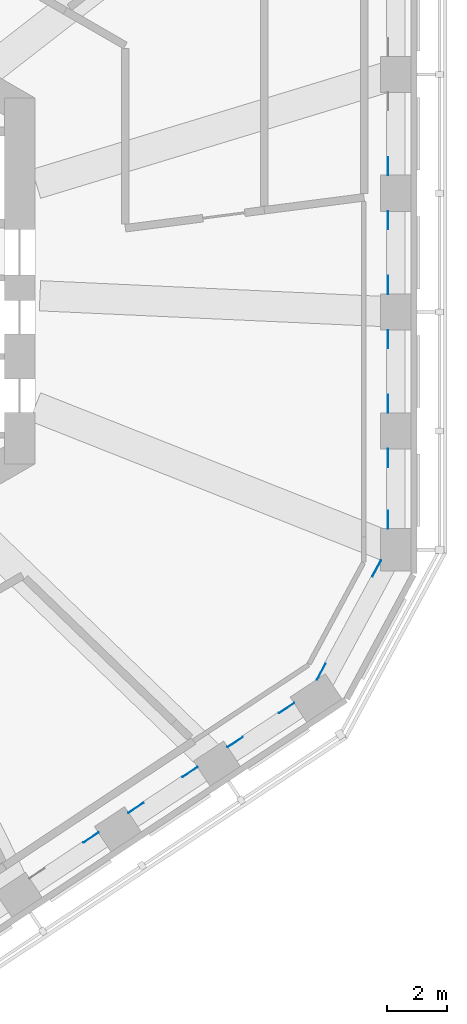
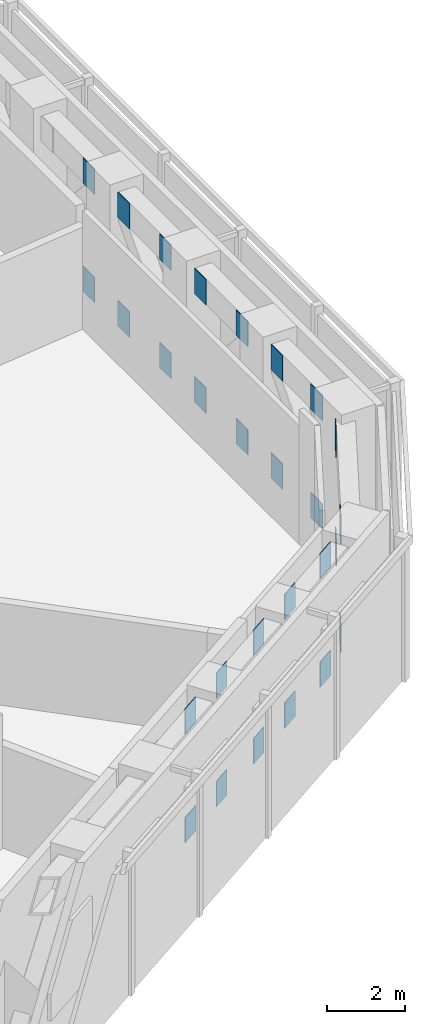
# One storey, part 11 of 15: 28 discrete accessories.
"""IFC4 building model written with IfcOpenShell, lengths in metres."""

from ifc_helpers import new_model, si_unit, direction, frame, origin, origin_2d, place, context, subcontext, project, spatial, rectangle, extrude, material, layer, layer_set, type_object, element, save


model = new_model("IFC4")

# Units and contexts
model_context = context("Model", 3, precision=1e-05, world=origin(), true_north=direction((0.0, 1.0)))
body_context = subcontext(model_context, "Body", "Model", "MODEL_VIEW")
ifc_project = project(units=[si_unit("LENGTHUNIT", "METRE"), si_unit("AREAUNIT", "SQUARE_METRE"), si_unit("VOLUMEUNIT", "CUBIC_METRE"), si_unit("PLANEANGLEUNIT", "RADIAN"), si_unit("MASSUNIT", "GRAM", prefix="KILO")], contexts=[model_context])

# Site, building, storey
site_placement = place(None, origin())
site = spatial("IfcSite", under=ifc_project, at=site_placement, CompositionType="ELEMENT")
building_placement = place(site_placement, origin())
building = spatial("IfcBuilding", under=site, at=building_placement, Name="Vanh Sen Convention Tower", CompositionType="ELEMENT")
storey_placement = place(building_placement, frame((0.0, 0.0, 119.89990234375)))
storey = spatial("IfcBuildingStorey", under=building, at=storey_placement, Name="L29", CompositionType="ELEMENT", Elevation=119.89990234375)

# Discrete accessories
ifc_material = material(Name="Steel S355", Category="steel")
ifc_layer = layer(ifc_material, 0.02001953125)
ifc_layer_set = layer_set([ifc_layer], Name="Steel S355")
discrete_accessory_type = type_object("IfcDiscreteAccessoryType", Name="Belt truss gusset plate 600 x 800 x 20", PredefinedType="USERDEFINED", material=ifc_layer_set)
for number, where, z_axis, x_axis, name in (
    (1, (22.18994140625, -7.904296875, 0.0), (0.0, 0.0, 1.0), (0.0, 1.0, 0.0), "GUSSET PLATE belt truss chord bottom 01 L29 start"),
    (2, (22.18994140625, -5.859619140625, 0.0), (0.0, 0.0, 1.0), (0.0, -1.0, 0.0), "GUSSET PLATE belt truss chord bottom 01 L29 end"),
    (3, (22.18994140625, -7.904296875, 3.39990234375), (0.0, 0.0, 1.0), (0.0, 1.0, 0.0), "GUSSET PLATE belt truss chord top 01 L29 start"),
    (4, (22.18994140625, -5.859619140625, 3.39990234375), (0.0, 0.0, 1.0), (0.0, -1.0, 0.0), "GUSSET PLATE belt truss chord top 01 L29 end"),
    (5, (22.18994140625, -4.069580078125, 0.0), (0.0, 0.0, 1.0), (0.0, 1.0, 0.0), "GUSSET PLATE belt truss chord bottom 02 L29 start"),
    (6, (22.18994140625, -1.925048828125, 0.0), (0.0, 0.0, 1.0), (0.0, -1.0, 0.0), "GUSSET PLATE belt truss chord bottom 02 L29 end"),
    (7, (22.18994140625, -4.069580078125, 3.39990234375), (0.0, 0.0, 1.0), (0.0, 1.0, 0.0), "GUSSET PLATE belt truss chord top 02 L29 start"),
    (8, (22.18994140625, -1.925048828125, 3.39990234375), (0.0, 0.0, 1.0), (0.0, -1.0, 0.0), "GUSSET PLATE belt truss chord top 02 L29 end"),
    (9, (22.18994140625, -0.135009765625, 0.0), (0.0, 0.0, 1.0), (0.0, 1.0, 0.0), "GUSSET PLATE belt truss chord bottom 03 L29 start"),
    (10, (22.18994140625, 2.009521484375, 0.0), (0.0, 0.0, 1.0), (0.0, -1.0, 0.0), "GUSSET PLATE belt truss chord bottom 03 L29 end"),
    (11, (22.18994140625, -0.135009765625, 3.39990234375), (0.0, 0.0, 1.0), (0.0, 1.0, 0.0), "GUSSET PLATE belt truss chord top 03 L29 start"),
    (12, (22.18994140625, 2.009521484375, 3.39990234375), (0.0, 0.0, 1.0), (0.0, -1.0, 0.0), "GUSSET PLATE belt truss chord top 03 L29 end"),
    (13, (22.18994140625, 3.799560546875, 0.0), (0.0, 0.0, 1.0), (0.0, 1.0, 0.0), "GUSSET PLATE belt truss chord bottom 04 L29 start"),
    (14, (22.18994140625, 3.799560546875, 3.39990234375), (0.0, 0.0, 1.0), (0.0, 1.0, 0.0), "GUSSET PLATE belt truss chord top 04 L29 start"),
    (15, (12.360107421875, -18.429443359375, 0.0), (0.0, 0.0, 1.0), (-0.833880042151, -0.551945717714, 0.0), "GUSSET PLATE belt truss chord bottom 33 L29 end"),
    (16, (12.360107421875, -18.429443359375, 3.39990234375), (0.0, 0.0, 1.0), (-0.833880042151, -0.551945717714, 0.0), "GUSSET PLATE belt truss chord top 33 L29 end"),
    (17, (13.852783203125, -17.44140625, 0.0), (0.0, 0.0, 1.0), (0.833891601892, 0.55192825285, 0.0), "GUSSET PLATE belt truss chord bottom 34 L29 start"),
    (18, (15.64111328125, -16.2578125, 0.0), (0.0, 0.0, 1.0), (-0.833891601892, -0.55192825285, 0.0), "GUSSET PLATE belt truss chord bottom 34 L29 end"),
    (19, (13.852783203125, -17.44140625, 3.39990234375), (0.0, 0.0, 1.0), (0.833891601892, 0.55192825285, 0.0), "GUSSET PLATE belt truss chord top 34 L29 start"),
    (20, (15.64111328125, -16.2578125, 3.39990234375), (0.0, 0.0, 1.0), (-0.833891601892, -0.55192825285, 0.0), "GUSSET PLATE belt truss chord top 34 L29 end"),
    (21, (17.1337890625, -15.269775390625, 0.0), (0.0, 0.0, 1.0), (0.833880042151, 0.551945717714, 0.0), "GUSSET PLATE belt truss chord bottom 35 L29 start"),
    (22, (18.838623046875, -14.141357421875, 0.0), (0.0, 0.0, 1.0), (-0.833880042151, -0.551945717714, 0.0), "GUSSET PLATE belt truss chord bottom 35 L29 end"),
    (23, (17.1337890625, -15.269775390625, 3.39990234375), (0.0, 0.0, 1.0), (0.833880042151, 0.551945717714, 0.0), "GUSSET PLATE belt truss chord top 35 L29 start"),
    (24, (18.838623046875, -14.141357421875, 3.39990234375), (0.0, 0.0, 1.0), (-0.833880042151, -0.551945717714, 0.0), "GUSSET PLATE belt truss chord top 35 L29 end"),
    (25, (19.984619140625, -12.93798828125, 0.0), (0.0, 0.0, 1.0), (0.473322742071, 0.880889086003, 0.0), "GUSSET PLATE belt truss chord bottom 36 L29 start"),
    (26, (21.819091796875, -9.52392578125, 0.0), (0.0, 0.0, 1.0), (-0.473322742071, -0.880889086003, 0.0), "GUSSET PLATE belt truss chord bottom 36 L29 end"),
    (27, (19.984619140625, -12.93798828125, 3.39990234375), (0.0, 0.0, 1.0), (0.473322742071, 0.880889086003, 0.0), "GUSSET PLATE belt truss chord top 36 L29 start"),
    (28, (21.819091796875, -9.52392578125, 3.39990234375), (0.0, 0.0, 1.0), (-0.473322742071, -0.880889086003, 0.0), "GUSSET PLATE belt truss chord top 36 L29 end"),
):
    element("IfcDiscreteAccessory", number, at=place(storey_placement, frame(where, z_axis=z_axis, x_axis=x_axis)), inside=storey, type_object=discrete_accessory_type, Name=name, ObjectType="GUSSET PLATE", PredefinedType="USERDEFINED", context=body_context, shape_type="SweptSolid", body=[
        extrude(rectangle(XDim=0.60009765625, YDim=0.02001953125, at=origin_2d()), origin(), (0.0, 0.0, 1.0), 0.800048828125),
    ])

save(model, "model.ifc")
